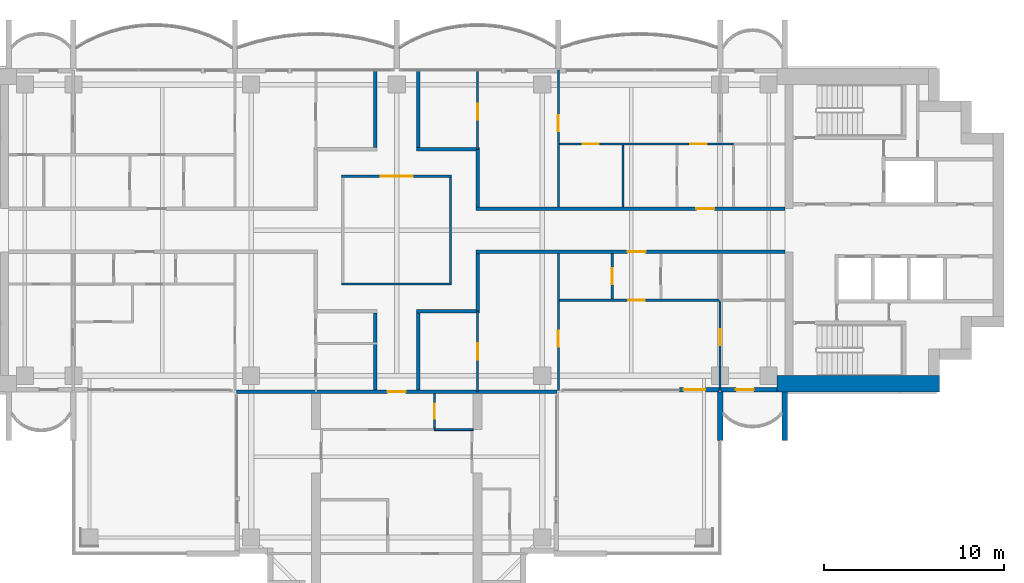
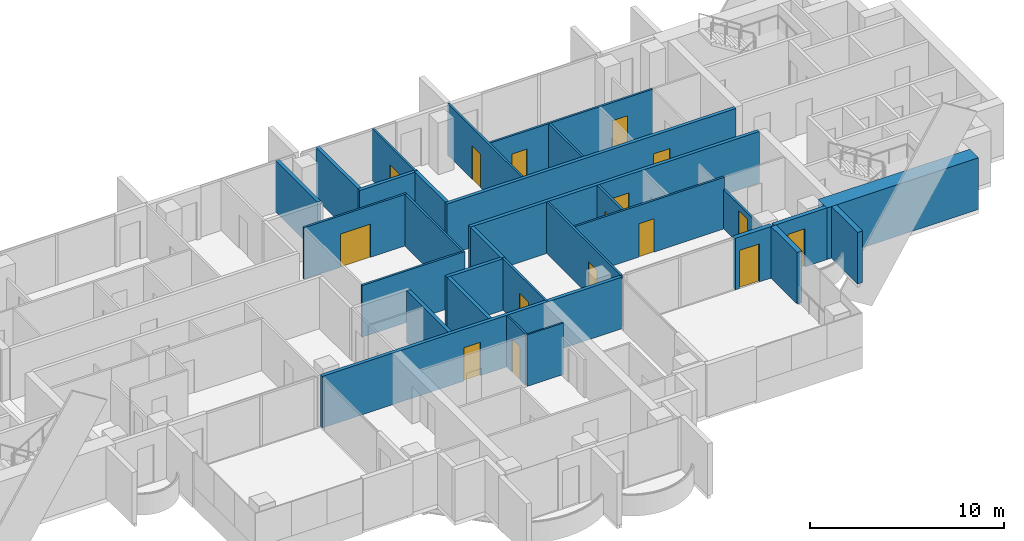
# One storey, part 11 of 17: 30 walls, 16 doors, 16 openings.
"""IFC4 building model written with IfcOpenShell, lengths in metres."""

from ifc_helpers import new_model, si_unit, direction, frame, frame_2d, origin, place, context, subcontext, project, spatial, rectangle, extrude, material, layer, layer_set, type_object, element, fill, save


model = new_model("IFC4")

# Units and contexts
model_context = context("Model", 3, precision=1e-05, world=origin(), true_north=direction((0.0, 1.0)))
body_context = subcontext(model_context, "Body", "Model", "MODEL_VIEW")
ifc_project = project(units=[si_unit("LENGTHUNIT", "METRE"), si_unit("AREAUNIT", "SQUARE_METRE"), si_unit("VOLUMEUNIT", "CUBIC_METRE"), si_unit("PLANEANGLEUNIT", "RADIAN"), si_unit("MASSUNIT", "GRAM", prefix="KILO")], contexts=[model_context])

# Site, building, storey
site_placement = place(None, origin())
site = spatial("IfcSite", under=ifc_project, at=site_placement, CompositionType="ELEMENT")
building_placement = place(site_placement, origin())
building = spatial("IfcBuilding", under=site, at=building_placement, Name="Perihelion Cross Residences", CompositionType="ELEMENT")
storey_placement = place(building_placement, frame((0.0, 0.0, 198.10009765625)))
storey = spatial("IfcBuildingStorey", under=building, at=storey_placement, Name="L49", CompositionType="ELEMENT", Elevation=198.10009765625)

# Wall, opening, door
ifc_material_1 = material(Name="Plasterboard partition")
ifc_layer_1 = layer(ifc_material_1, 0.199951171875)
ifc_layer_set_1 = layer_set([ifc_layer_1], Name="Apartment separation wall 200")
wall_type_1 = type_object("IfcWallType", Name="Apartment separation wall 200", PredefinedType="PARTITIONING", material=ifc_layer_set_1)
wall_1_placement = place(storey_placement, frame((4.39990234375, 1.199951171875, 0.0), z_axis=(0.0, 0.0, 1.0), x_axis=(1.0, 0.0, 0.0)))
wall_1 = element("IfcWall", 1, at=wall_1_placement, inside=storey, type_object=wall_type_1, Name="Partition L49 W005", PredefinedType="PARTITIONING", context=body_context, shape_type="SweptSolid", body=[
    extrude(rectangle(XDim=17.2001953125, YDim=0.199951171875, at=frame_2d((8.60009765625, 0.0))), origin(), (0.0, 0.0, 1.0), 3.25),
])
opening_1_placement = place(wall_1_placement, frame((12.27490234375, 0.0, 0.0)))
opening_1 = element("IfcOpeningElement", 2, at=opening_1_placement, cuts=wall_1, Name="Opening L49.A38", PredefinedType="OPENING", context=body_context, shape_type="SweptSolid", body=[
    extrude(rectangle(XDim=1.0, YDim=2.10009765625, at=frame_2d((0.5, 1.050048828125))), frame((0.0, 0.10986328125, 0.0), z_axis=(0.0, -1.0, 0.0), x_axis=(1.0, 0.0, 0.0)), (0.0, 0.0, 1.0), 0.219970703125),
])
ifc_material_2 = material(Name="Timber door leaf", Category="wood")
door_type_1 = type_object("IfcDoorType", Name="Flat entrance door 1000 x 2100", OperationType="SINGLE_SWING_LEFT", PredefinedType="DOOR", material=ifc_material_2)
door_1_placement = place(opening_1_placement, origin())
door_1 = element("IfcDoor", 3, at=door_1_placement, inside=storey, type_object=door_type_1, Name="Door L49.A38", OperationType="SINGLE_SWING_LEFT", OverallHeight=2.10009765625, OverallWidth=1.0, PredefinedType="DOOR", context=body_context, shape_type="SweptSolid", body=[
    extrude(rectangle(XDim=1.0, YDim=2.10009765625, at=frame_2d((0.5, 1.050048828125))), frame((0.0, 0.02490234375, 0.0), z_axis=(0.0, -1.0, 0.0), x_axis=(1.0, 0.0, 0.0)), (0.0, 0.0, 1.0), 0.050048828125),
])
fill(opening_1, door_1)

# Walls
wall_2_placement = place(storey_placement, frame((4.5, 4.5, 0.0), z_axis=(0.0, 0.0, 1.0), x_axis=(0.0, -1.0, 0.0)))
element("IfcWall", 4, at=wall_2_placement, inside=storey, type_object=wall_type_1, Name="Partition L49 W006", PredefinedType="PARTITIONING", context=body_context, shape_type="SweptSolid", body=[
    extrude(rectangle(XDim=3.199951171875, YDim=0.199951171875, at=frame_2d((1.60009765625, 0.0))), origin(), (0.0, 0.0, 1.0), 3.25),
])
wall_3_placement = place(storey_placement, frame((1.199951171875, 8.919921875, 0.0), z_axis=(0.0, 0.0, 1.0), x_axis=(0.0, -1.0, 0.0)))
element("IfcWall", 5, at=wall_3_placement, inside=storey, type_object=wall_type_1, Name="Partition L49 W007", PredefinedType="PARTITIONING", context=body_context, shape_type="SweptSolid", body=[
    extrude(rectangle(XDim=4.31982421875, YDim=0.199951171875, at=frame_2d((2.159912109375, 0.0))), origin(), (0.0, 0.0, 1.0), 3.25),
])
wall_4_placement = place(storey_placement, frame((1.10009765625, 4.5, 0.0), z_axis=(0.0, 0.0, 1.0), x_axis=(1.0, 0.0, 0.0)))
element("IfcWall", 6, at=wall_4_placement, inside=storey, type_object=wall_type_1, Name="Partition L49 W008", PredefinedType="PARTITIONING", context=body_context, shape_type="SweptSolid", body=[
    extrude(rectangle(XDim=3.5, YDim=0.199951171875, at=frame_2d((1.75, 0.0))), origin(), (0.0, 0.0, 1.0), 3.25),
])

# Wall, opening, door
wall_5_placement = place(storey_placement, frame((21.60009765625, -1.199951171875, 0.0), z_axis=(0.0, 0.0, 1.0), x_axis=(-1.0, 0.0, 0.0)))
wall_5 = element("IfcWall", 7, at=wall_5_placement, inside=storey, type_object=wall_type_1, Name="Partition L49 W009", PredefinedType="PARTITIONING", context=body_context, shape_type="SweptSolid", body=[
    extrude(rectangle(XDim=17.2001953125, YDim=0.199951171875, at=frame_2d((8.60009765625, 0.0))), origin(), (0.0, 0.0, 1.0), 3.25),
])
opening_2_placement = place(wall_5_placement, frame((7.75, 0.0, 0.0)))
opening_2 = element("IfcOpeningElement", 8, at=opening_2_placement, cuts=wall_5, Name="Opening L49.A39", PredefinedType="OPENING", context=body_context, shape_type="SweptSolid", body=[
    extrude(rectangle(XDim=1.0, YDim=2.10009765625, at=frame_2d((0.5, 1.050048828125))), frame((0.0, 0.10986328125, 0.0), z_axis=(0.0, -1.0, 0.0), x_axis=(1.0, 0.0, 0.0)), (0.0, 0.0, 1.0), 0.219970703125),
])
door_2_placement = place(opening_2_placement, origin())
door_2 = element("IfcDoor", 9, at=door_2_placement, inside=storey, type_object=door_type_1, Name="Door L49.A39", OperationType="SINGLE_SWING_LEFT", OverallHeight=2.10009765625, OverallWidth=1.0, PredefinedType="DOOR", context=body_context, shape_type="SweptSolid", body=[
    extrude(rectangle(XDim=1.0, YDim=2.10009765625, at=frame_2d((0.5, 1.050048828125))), frame((0.0, 0.02490234375, 0.0), z_axis=(0.0, -1.0, 0.0), x_axis=(1.0, 0.0, 0.0)), (0.0, 0.0, 1.0), 0.050048828125),
])
fill(opening_2, door_2)

# Walls
wall_6_placement = place(storey_placement, frame((4.5, -1.300048828125, 0.0), z_axis=(0.0, 0.0, 1.0), x_axis=(0.0, -1.0, 0.0)))
element("IfcWall", 10, at=wall_6_placement, inside=storey, type_object=wall_type_1, Name="Partition L49 W010", PredefinedType="PARTITIONING", context=body_context, shape_type="SweptSolid", body=[
    extrude(rectangle(XDim=3.199951171875, YDim=0.199951171875, at=frame_2d((1.60009765625, 0.0))), origin(), (0.0, 0.0, 1.0), 3.25),
])
wall_7_placement = place(storey_placement, frame((4.60009765625, -4.5, 0.0), z_axis=(0.0, 0.0, 1.0), x_axis=(-1.0, 0.0, 0.0)))
element("IfcWall", 11, at=wall_7_placement, inside=storey, type_object=wall_type_1, Name="Partition L49 W011", PredefinedType="PARTITIONING", context=body_context, shape_type="SweptSolid", body=[
    extrude(rectangle(XDim=3.5, YDim=0.199951171875, at=frame_2d((1.75, 0.0))), origin(), (0.0, 0.0, 1.0), 3.25),
])
wall_8_placement = place(storey_placement, frame((1.199951171875, -4.60009765625, 0.0), z_axis=(0.0, 0.0, 1.0), x_axis=(0.0, -1.0, 0.0)))
element("IfcWall", 12, at=wall_8_placement, inside=storey, type_object=wall_type_1, Name="Partition L49 W012", PredefinedType="PARTITIONING", context=body_context, shape_type="SweptSolid", body=[
    extrude(rectangle(XDim=4.2998046875, YDim=0.199951171875, at=frame_2d((2.14990234375, 0.0))), origin(), (0.0, 0.0, 1.0), 3.25),
])
wall_9_placement = place(storey_placement, frame((-1.199951171875, 4.60009765625, 0.0), z_axis=(0.0, 0.0, 1.0), x_axis=(0.0, 1.0, 0.0)))
element("IfcWall", 13, at=wall_9_placement, inside=storey, type_object=wall_type_1, Name="Partition L49 W016", PredefinedType="PARTITIONING", context=body_context, shape_type="SweptSolid", body=[
    extrude(rectangle(XDim=4.31982421875, YDim=0.199951171875, at=frame_2d((2.159912109375, 0.0))), origin(), (0.0, 0.0, 1.0), 3.25),
])
wall_10_placement = place(storey_placement, frame((-1.199951171875, -8.89990234375, 0.0), z_axis=(0.0, 0.0, 1.0), x_axis=(0.0, 1.0, 0.0)))
element("IfcWall", 14, at=wall_10_placement, inside=storey, type_object=wall_type_1, Name="Partition L49 W019", PredefinedType="PARTITIONING", context=body_context, shape_type="SweptSolid", body=[
    extrude(rectangle(XDim=4.2998046875, YDim=0.199951171875, at=frame_2d((2.14990234375, 0.0))), origin(), (0.0, 0.0, 1.0), 3.25),
])

# Wall, opening, door
wall_11_placement = place(storey_placement, frame((8.919921875, -9.0, 0.0), z_axis=(0.0, 0.0, 1.0), x_axis=(-1.0, 0.0, 0.0)))
wall_11 = element("IfcWall", 15, at=wall_11_placement, inside=storey, type_object=wall_type_1, Name="Partition L49 W021", PredefinedType="PARTITIONING", context=body_context, shape_type="SweptSolid", body=[
    extrude(rectangle(XDim=17.83984375, YDim=0.199951171875, at=frame_2d((8.919921875, 0.0))), origin(), (0.0, 0.0, 1.0), 3.25),
])
opening_3_placement = place(wall_11_placement, frame((8.419921875, 0.0, 0.0)))
opening_3 = element("IfcOpeningElement", 16, at=opening_3_placement, cuts=wall_11, Name="Opening L49.A32", PredefinedType="OPENING", context=body_context, shape_type="SweptSolid", body=[
    extrude(rectangle(XDim=1.0, YDim=2.10009765625, at=frame_2d((0.5, 1.050048828125))), frame((0.0, 0.10986328125, 0.0), z_axis=(0.0, -1.0, 0.0), x_axis=(1.0, 0.0, 0.0)), (0.0, 0.0, 1.0), 0.219970703125),
])
door_3_placement = place(opening_3_placement, origin())
door_3 = element("IfcDoor", 17, at=door_3_placement, inside=storey, type_object=door_type_1, Name="Door L49.A32", OperationType="SINGLE_SWING_RIGHT", OverallHeight=2.10009765625, OverallWidth=1.0, PredefinedType="DOOR", context=body_context, shape_type="SweptSolid", body=[
    extrude(rectangle(XDim=1.0, YDim=2.10009765625, at=frame_2d((0.5, 1.050048828125))), frame((0.0, 0.02490234375, 0.0), z_axis=(0.0, -1.0, 0.0), x_axis=(1.0, 0.0, 0.0)), (0.0, 0.0, 1.0), 0.050048828125),
])
fill(opening_3, door_3)

ifc_material_3 = material(Name="Concrete C30/37, bronze-clad", Category="concrete")
ifc_layer_2 = layer(ifc_material_3, 0.25)
ifc_layer_set_2 = layer_set([ifc_layer_2], Name="Bronze-clad pier wall 250")
wall_type_2 = type_object("IfcWallType", Name="Bronze-clad pier wall 250", PredefinedType="SOLIDWALL", material=ifc_layer_set_2)
wall_12_placement = place(storey_placement, frame((15.72509765625, -8.875, 0.0), z_axis=(0.0, 0.0, 1.0), x_axis=(1.0, 0.0, 0.0)))
wall_12 = element("IfcWall", 18, at=wall_12_placement, inside=storey, type_object=wall_type_2, Name="Wall FW1 L49 east side south bay 1 pier", PredefinedType="SOLIDWALL", context=body_context, shape_type="SweptSolid", body=[
    extrude(rectangle(XDim=2.21484375, YDim=0.25, at=frame_2d((1.107421875, 0.0))), origin(), (0.0, 0.0, 1.0), 3.25),
])
opening_4_placement = place(wall_12_placement, frame((0.25, 0.0, 0.0)))
opening_4 = element("IfcOpeningElement", 19, at=opening_4_placement, cuts=wall_12, Name="Opening L49.E13", PredefinedType="OPENING", context=body_context, shape_type="SweptSolid", body=[
    extrude(rectangle(XDim=1.199951171875, YDim=2.39990234375, at=frame_2d((0.60009765625, 1.199951171875))), frame((0.0, 0.135009765625, 0.0), z_axis=(0.0, -1.0, 0.0), x_axis=(1.0, 0.0, 0.0)), (0.0, 0.0, 1.0), 0.27001953125),
])
ifc_material_4 = material(Name="Bronze anodised aluminium, glazed", Category="aluminium")
door_type_2 = type_object("IfcDoorType", Name="Balcony door 1200 x 2400", OperationType="NOTDEFINED", PredefinedType="DOOR", material=ifc_material_4)
door_4_placement = place(opening_4_placement, origin())
door_4 = element("IfcDoor", 20, at=door_4_placement, inside=storey, type_object=door_type_2, Name="Door L49.E13 east side south bay 1", OperationType="SINGLE_SWING_LEFT", OverallHeight=2.39990234375, OverallWidth=1.199951171875, PredefinedType="DOOR", context=body_context, shape_type="SweptSolid", body=[
    extrude(rectangle(XDim=1.199951171875, YDim=2.39990234375, at=frame_2d((0.60009765625, 1.199951171875))), frame((0.0, 0.02490234375, 0.0), z_axis=(0.0, -1.0, 0.0), x_axis=(1.0, 0.0, 0.0)), (0.0, 0.0, 1.0), 0.050048828125),
])
fill(opening_4, door_4)

wall_13_placement = place(storey_placement, frame((18.06005859375, -8.875, 0.0), z_axis=(0.0, 0.0, 1.0), x_axis=(1.0, 0.0, 0.0)))
wall_13 = element("IfcWall", 21, at=wall_13_placement, inside=storey, type_object=wall_type_2, Name="Wall FW1 L49 east side south bay 2 pier", PredefinedType="SOLIDWALL", context=body_context, shape_type="SweptSolid", body=[
    extrude(rectangle(XDim=3.114990234375, YDim=0.25, at=frame_2d((1.5576171875, 0.0))), origin(), (0.0, 0.0, 1.0), 3.25),
])
opening_5_placement = place(wall_13_placement, frame((0.81494140625, 0.0, 0.0)))
opening_5 = element("IfcOpeningElement", 22, at=opening_5_placement, cuts=wall_13, Name="Opening L49.E14", PredefinedType="OPENING", context=body_context, shape_type="SweptSolid", body=[
    extrude(rectangle(XDim=1.0, YDim=2.39990234375, at=frame_2d((0.5, 1.199951171875))), frame((0.0, 0.135009765625, 0.0), z_axis=(0.0, -1.0, 0.0), x_axis=(1.0, 0.0, 0.0)), (0.0, 0.0, 1.0), 0.27001953125),
])
ifc_material_5 = material(Name="Bronze anodised aluminium, glazed", Category="aluminium")
door_type_3 = type_object("IfcDoorType", Name="Balcony door 1000 x 2400", OperationType="NOTDEFINED", PredefinedType="DOOR", material=ifc_material_5)
door_5_placement = place(opening_5_placement, origin())
door_5 = element("IfcDoor", 23, at=door_5_placement, inside=storey, type_object=door_type_3, Name="Door L49.E14 east side south bay 2", OperationType="SINGLE_SWING_RIGHT", OverallHeight=2.39990234375, OverallWidth=1.0, PredefinedType="DOOR", context=body_context, shape_type="SweptSolid", body=[
    extrude(rectangle(XDim=1.0, YDim=2.39990234375, at=frame_2d((0.5, 1.199951171875))), frame((0.0, 0.02490234375, 0.0), z_axis=(0.0, -1.0, 0.0), x_axis=(1.0, 0.0, 0.0)), (0.0, 0.0, 1.0), 0.050048828125),
])
fill(opening_5, door_5)

# Walls
ifc_material_6 = material(Name="Concrete C60/75", Category="concrete")
ifc_layer_3 = layer(ifc_material_6, 0.89990234375)
ifc_layer_set_3 = layer_set([ifc_layer_3], Name="Core wall, outer 900")
wall_type_3 = type_object("IfcWallType", Name="Core wall, outer 900", PredefinedType="SHEAR", material=ifc_layer_set_3)
wall_14_placement = place(storey_placement, frame((21.175048828125, -8.550048828125, 0.0), z_axis=(0.0, 0.0, 1.0), x_axis=(1.0, 0.0, 0.0)))
element("IfcWall", 24, at=wall_14_placement, inside=storey, type_object=wall_type_3, Name="East core core wall, outer", PredefinedType="SHEAR", context=body_context, shape_type="SweptSolid", body=[
    extrude(rectangle(XDim=9.02490234375, YDim=0.89990234375, at=frame_2d((4.512451171875, 0.0))), origin(), (0.0, 0.0, 1.0), 3.25),
])
ifc_material_7 = material(Name="Plasterboard partition")
ifc_layer_4 = layer(ifc_material_7, 0.1201171875)
ifc_layer_set_4 = layer_set([ifc_layer_4], Name="Partition wall 120")
wall_type_4 = type_object("IfcWallType", Name="Partition wall 120", PredefinedType="PARTITIONING", material=ifc_layer_set_4)
wall_15_placement = place(storey_placement, frame((-3.06005859375, -3.0, 0.0), z_axis=(0.0, 0.0, 1.0), x_axis=(1.0, 0.0, 0.0)))
element("IfcWall", 25, at=wall_15_placement, inside=storey, type_object=wall_type_4, Name="Partition L49 W001", PredefinedType="PARTITIONING", context=body_context, shape_type="SweptSolid", body=[
    extrude(rectangle(XDim=6.1201171875, YDim=0.1201171875, at=frame_2d((3.06005859375, 0.0))), origin(), (0.0, 0.0, 1.0), 3.25),
])
wall_16_placement = place(storey_placement, frame((3.0, -2.93994140625, 0.0), z_axis=(0.0, 0.0, 1.0), x_axis=(0.0, 1.0, 0.0)))
element("IfcWall", 26, at=wall_16_placement, inside=storey, type_object=wall_type_4, Name="Partition L49 W002", PredefinedType="PARTITIONING", context=body_context, shape_type="SweptSolid", body=[
    extrude(rectangle(XDim=5.8798828125, YDim=0.1201171875, at=frame_2d((2.93994140625, 0.0))), origin(), (0.0, 0.0, 1.0), 3.25),
])

# Wall, opening, door
wall_17_placement = place(storey_placement, frame((3.06005859375, 3.0, 0.0), z_axis=(0.0, 0.0, 1.0), x_axis=(-1.0, 0.0, 0.0)))
wall_17 = element("IfcWall", 27, at=wall_17_placement, inside=storey, type_object=wall_type_4, Name="Partition L49 W003", PredefinedType="PARTITIONING", context=body_context, shape_type="SweptSolid", body=[
    extrude(rectangle(XDim=6.1201171875, YDim=0.1201171875, at=frame_2d((3.06005859375, 0.0))), origin(), (0.0, 0.0, 1.0), 3.25),
])
opening_6_placement = place(wall_17_placement, frame((2.159912109375, 0.0, 0.0)))
opening_6 = element("IfcOpeningElement", 28, at=opening_6_placement, cuts=wall_17, Name="Opening L49.A01", PredefinedType="OPENING", context=body_context, shape_type="SweptSolid", body=[
    extrude(rectangle(XDim=1.800048828125, YDim=2.10009765625, at=frame_2d((0.89990234375, 1.050048828125))), frame((0.0, 0.070068359375, 0.0), z_axis=(0.0, -1.0, 0.0), x_axis=(1.0, 0.0, 0.0)), (0.0, 0.0, 1.0), 0.14013671875),
])
ifc_material_8 = material(Name="Glazed timber door leaf", Category="wood")
door_type_4 = type_object("IfcDoorType", Name="Interior double leaf door 1800 x 2100", OperationType="DOUBLE_DOOR_SINGLE_SWING", PredefinedType="DOOR", material=ifc_material_8)
door_6_placement = place(opening_6_placement, origin())
door_6 = element("IfcDoor", 29, at=door_6_placement, inside=storey, type_object=door_type_4, Name="Door L49.A01", OperationType="SINGLE_SWING_LEFT", OverallHeight=2.10009765625, OverallWidth=1.800048828125, PredefinedType="DOOR", context=body_context, shape_type="SweptSolid", body=[
    extrude(rectangle(XDim=1.800048828125, YDim=2.10009765625, at=frame_2d((0.89990234375, 1.050048828125))), frame((0.0, 0.02490234375, 0.0), z_axis=(0.0, -1.0, 0.0), x_axis=(1.0, 0.0, 0.0)), (0.0, 0.0, 1.0), 0.050048828125),
])
fill(opening_6, door_6)

# Wall
wall_18_placement = place(storey_placement, frame((12.60009765625, 4.739990234375, 0.0), z_axis=(0.0, 0.0, 1.0), x_axis=(0.0, -1.0, 0.0)))
element("IfcWall", 30, at=wall_18_placement, inside=storey, type_object=wall_type_4, Name="Partition L49 W022", PredefinedType="PARTITIONING", context=body_context, shape_type="SweptSolid", body=[
    extrude(rectangle(XDim=3.43994140625, YDim=0.1201171875, at=frame_2d((1.719970703125, 0.0))), origin(), (0.0, 0.0, 1.0), 3.25),
])

# Wall, openings, doors
wall_19_placement = place(storey_placement, frame((8.93994140625, 4.800048828125, 0.0), z_axis=(0.0, 0.0, 1.0), x_axis=(1.0, 0.0, 0.0)))
wall_19 = element("IfcWall", 31, at=wall_19_placement, inside=storey, type_object=wall_type_4, Name="Partition L49 W023", PredefinedType="PARTITIONING", context=body_context, shape_type="SweptSolid", body=[
    extrude(rectangle(XDim=9.81005859375, YDim=0.1201171875, at=frame_2d((4.905029296875, 0.0))), origin(), (0.0, 0.0, 1.0), 3.25),
])
opening_7_placement = place(wall_19_placement, frame((1.409912109375, 0.0, 0.0)))
opening_7 = element("IfcOpeningElement", 32, at=opening_7_placement, cuts=wall_19, Name="Opening L49.A05", PredefinedType="OPENING", context=body_context, shape_type="SweptSolid", body=[
    extrude(rectangle(XDim=0.89990234375, YDim=2.10009765625, at=frame_2d((0.449951171875, 1.050048828125))), frame((0.0, 0.070068359375, 0.0), z_axis=(0.0, -1.0, 0.0), x_axis=(1.0, 0.0, 0.0)), (0.0, 0.0, 1.0), 0.14013671875),
])
opening_8_placement = place(wall_19_placement, frame((7.409912109375, 0.0, 0.0)))
opening_8 = element("IfcOpeningElement", 33, at=opening_8_placement, cuts=wall_19, Name="Opening L49.A06", PredefinedType="OPENING", context=body_context, shape_type="SweptSolid", body=[
    extrude(rectangle(XDim=0.89990234375, YDim=2.10009765625, at=frame_2d((0.449951171875, 1.050048828125))), frame((0.0, 0.070068359375, 0.0), z_axis=(0.0, -1.0, 0.0), x_axis=(1.0, 0.0, 0.0)), (0.0, 0.0, 1.0), 0.14013671875),
])
ifc_material_9 = material(Name="Timber door leaf", Category="wood")
door_type_5 = type_object("IfcDoorType", Name="Interior room door 900 x 2100", OperationType="SINGLE_SWING_LEFT", PredefinedType="DOOR", material=ifc_material_9)
door_7_placement = place(opening_7_placement, origin())
door_7 = element("IfcDoor", 34, at=door_7_placement, inside=storey, type_object=door_type_5, Name="Door L49.A05", OperationType="SINGLE_SWING_RIGHT", OverallHeight=2.10009765625, OverallWidth=0.89990234375, PredefinedType="DOOR", context=body_context, shape_type="SweptSolid", body=[
    extrude(rectangle(XDim=0.89990234375, YDim=2.10009765625, at=frame_2d((0.449951171875, 1.050048828125))), frame((0.0, 0.02490234375, 0.0), z_axis=(0.0, -1.0, 0.0), x_axis=(1.0, 0.0, 0.0)), (0.0, 0.0, 1.0), 0.050048828125),
])
fill(opening_7, door_7)
door_8_placement = place(opening_8_placement, origin())
door_8 = element("IfcDoor", 35, at=door_8_placement, inside=storey, type_object=door_type_5, Name="Door L49.A06", OperationType="SINGLE_SWING_LEFT", OverallHeight=2.10009765625, OverallWidth=0.89990234375, PredefinedType="DOOR", context=body_context, shape_type="SweptSolid", body=[
    extrude(rectangle(XDim=0.89990234375, YDim=2.10009765625, at=frame_2d((0.449951171875, 1.050048828125))), frame((0.0, 0.02490234375, 0.0), z_axis=(0.0, -1.0, 0.0), x_axis=(1.0, 0.0, 0.0)), (0.0, 0.0, 1.0), 0.050048828125),
])
fill(opening_8, door_8)

# Wall, opening, door
wall_20_placement = place(storey_placement, frame((9.0, 1.300048828125, 0.0), z_axis=(0.0, 0.0, 1.0), x_axis=(0.0, 1.0, 0.0)))
wall_20 = element("IfcWall", 36, at=wall_20_placement, inside=storey, type_object=wall_type_4, Name="Partition L49 W024", PredefinedType="PARTITIONING", context=body_context, shape_type="SweptSolid", body=[
    extrude(rectangle(XDim=7.619873046875, YDim=0.1201171875, at=frame_2d((3.81005859375, 0.0))), origin(), (0.0, 0.0, 1.0), 3.25),
])
opening_9_placement = place(wall_20_placement, frame((4.199951171875, 0.0, 0.0)))
opening_9 = element("IfcOpeningElement", 37, at=opening_9_placement, cuts=wall_20, Name="Opening L49.A07", PredefinedType="OPENING", context=body_context, shape_type="SweptSolid", body=[
    extrude(rectangle(XDim=0.89990234375, YDim=2.10009765625, at=frame_2d((0.449951171875, 1.050048828125))), frame((0.0, 0.070068359375, 0.0), z_axis=(0.0, -1.0, 0.0), x_axis=(1.0, 0.0, 0.0)), (0.0, 0.0, 1.0), 0.14013671875),
])
door_9_placement = place(opening_9_placement, origin())
door_9 = element("IfcDoor", 38, at=door_9_placement, inside=storey, type_object=door_type_5, Name="Door L49.A07", OperationType="SINGLE_SWING_LEFT", OverallHeight=2.10009765625, OverallWidth=0.89990234375, PredefinedType="DOOR", context=body_context, shape_type="SweptSolid", body=[
    extrude(rectangle(XDim=0.89990234375, YDim=2.10009765625, at=frame_2d((0.449951171875, 1.050048828125))), frame((0.0, 0.02490234375, 0.0), z_axis=(0.0, -1.0, 0.0), x_axis=(1.0, 0.0, 0.0)), (0.0, 0.0, 1.0), 0.050048828125),
])
fill(opening_9, door_9)

wall_21_placement = place(storey_placement, frame((4.5, 4.5, 0.0), z_axis=(0.0, 0.0, 1.0), x_axis=(0.0, 1.0, 0.0)))
wall_21 = element("IfcWall", 39, at=wall_21_placement, inside=storey, type_object=wall_type_4, Name="Partition L49 W029", PredefinedType="PARTITIONING", context=body_context, shape_type="SweptSolid", body=[
    extrude(rectangle(XDim=4.419921875, YDim=0.1201171875, at=frame_2d((2.2099609375, 0.0))), origin(), (0.0, 0.0, 1.0), 3.25),
])
opening_10_placement = place(wall_21_placement, frame((1.64990234375, 0.0, 0.0)))
opening_10 = element("IfcOpeningElement", 40, at=opening_10_placement, cuts=wall_21, Name="Opening L49.A03", PredefinedType="OPENING", context=body_context, shape_type="SweptSolid", body=[
    extrude(rectangle(XDim=0.89990234375, YDim=2.10009765625, at=frame_2d((0.449951171875, 1.050048828125))), frame((0.0, 0.070068359375, 0.0), z_axis=(0.0, -1.0, 0.0), x_axis=(1.0, 0.0, 0.0)), (0.0, 0.0, 1.0), 0.14013671875),
])
door_10_placement = place(opening_10_placement, origin())
door_10 = element("IfcDoor", 41, at=door_10_placement, inside=storey, type_object=door_type_5, Name="Door L49.A03", OperationType="SINGLE_SWING_LEFT", OverallHeight=2.10009765625, OverallWidth=0.89990234375, PredefinedType="DOOR", context=body_context, shape_type="SweptSolid", body=[
    extrude(rectangle(XDim=0.89990234375, YDim=2.10009765625, at=frame_2d((0.449951171875, 1.050048828125))), frame((0.0, 0.02490234375, 0.0), z_axis=(0.0, -1.0, 0.0), x_axis=(1.0, 0.0, 0.0)), (0.0, 0.0, 1.0), 0.050048828125),
])
fill(opening_10, door_10)

wall_22_placement = place(storey_placement, frame((12.0, -1.300048828125, 0.0), z_axis=(0.0, 0.0, 1.0), x_axis=(0.0, -1.0, 0.0)))
wall_22 = element("IfcWall", 42, at=wall_22_placement, inside=storey, type_object=wall_type_4, Name="Partition L49 W030", PredefinedType="PARTITIONING", context=body_context, shape_type="SweptSolid", body=[
    extrude(rectangle(XDim=2.5400390625, YDim=0.1201171875, at=frame_2d((1.27001953125, 0.0))), origin(), (0.0, 0.0, 1.0), 3.25),
])
opening_11_placement = place(wall_22_placement, frame((0.820068359375, 0.0, 0.0)))
opening_11 = element("IfcOpeningElement", 43, at=opening_11_placement, cuts=wall_22, Name="Opening L49.A12", PredefinedType="OPENING", context=body_context, shape_type="SweptSolid", body=[
    extrude(rectangle(XDim=0.89990234375, YDim=2.10009765625, at=frame_2d((0.449951171875, 1.050048828125))), frame((0.0, 0.070068359375, 0.0), z_axis=(0.0, -1.0, 0.0), x_axis=(1.0, 0.0, 0.0)), (0.0, 0.0, 1.0), 0.14013671875),
])
door_11_placement = place(opening_11_placement, origin())
door_11 = element("IfcDoor", 44, at=door_11_placement, inside=storey, type_object=door_type_5, Name="Door L49.A12", OperationType="SINGLE_SWING_LEFT", OverallHeight=2.10009765625, OverallWidth=0.89990234375, PredefinedType="DOOR", context=body_context, shape_type="SweptSolid", body=[
    extrude(rectangle(XDim=0.89990234375, YDim=2.10009765625, at=frame_2d((0.449951171875, 1.050048828125))), frame((0.0, 0.02490234375, 0.0), z_axis=(0.0, -1.0, 0.0), x_axis=(1.0, 0.0, 0.0)), (0.0, 0.0, 1.0), 0.050048828125),
])
fill(opening_11, door_11)

wall_23_placement = place(storey_placement, frame((18.0, -3.89990234375, 0.0), z_axis=(0.0, 0.0, 1.0), x_axis=(-1.0, 0.0, 0.0)))
wall_23 = element("IfcWall", 45, at=wall_23_placement, inside=storey, type_object=wall_type_4, Name="Partition L49 W031", PredefinedType="PARTITIONING", context=body_context, shape_type="SweptSolid", body=[
    extrude(rectangle(XDim=9.06005859375, YDim=0.1201171875, at=frame_2d((4.530029296875, 0.0))), origin(), (0.0, 0.0, 1.0), 3.25),
])
opening_12_placement = place(wall_23_placement, frame((4.199951171875, 0.0, 0.0)))
opening_12 = element("IfcOpeningElement", 46, at=opening_12_placement, cuts=wall_23, Name="Opening L49.A13", PredefinedType="OPENING", context=body_context, shape_type="SweptSolid", body=[
    extrude(rectangle(XDim=0.89990234375, YDim=2.10009765625, at=frame_2d((0.449951171875, 1.050048828125))), frame((0.0, 0.070068359375, 0.0), z_axis=(0.0, -1.0, 0.0), x_axis=(1.0, 0.0, 0.0)), (0.0, 0.0, 1.0), 0.14013671875),
])
door_12_placement = place(opening_12_placement, origin())
door_12 = element("IfcDoor", 47, at=door_12_placement, inside=storey, type_object=door_type_5, Name="Door L49.A13", OperationType="SINGLE_SWING_LEFT", OverallHeight=2.10009765625, OverallWidth=0.89990234375, PredefinedType="DOOR", context=body_context, shape_type="SweptSolid", body=[
    extrude(rectangle(XDim=0.89990234375, YDim=2.10009765625, at=frame_2d((0.449951171875, 1.050048828125))), frame((0.0, 0.02490234375, 0.0), z_axis=(0.0, -1.0, 0.0), x_axis=(1.0, 0.0, 0.0)), (0.0, 0.0, 1.0), 0.050048828125),
])
fill(opening_12, door_12)

wall_24_placement = place(storey_placement, frame((9.0, -8.919921875, 0.0), z_axis=(0.0, 0.0, 1.0), x_axis=(0.0, 1.0, 0.0)))
wall_24 = element("IfcWall", 48, at=wall_24_placement, inside=storey, type_object=wall_type_4, Name="Partition L49 W032", PredefinedType="PARTITIONING", context=body_context, shape_type="SweptSolid", body=[
    extrude(rectangle(XDim=7.619873046875, YDim=0.1201171875, at=frame_2d((3.81005859375, 0.0))), origin(), (0.0, 0.0, 1.0), 3.25),
])
opening_13_placement = place(wall_24_placement, frame((2.419921875, 0.0, 0.0)))
opening_13 = element("IfcOpeningElement", 49, at=opening_13_placement, cuts=wall_24, Name="Opening L49.A15", PredefinedType="OPENING", context=body_context, shape_type="SweptSolid", body=[
    extrude(rectangle(XDim=0.89990234375, YDim=2.10009765625, at=frame_2d((0.449951171875, 1.050048828125))), frame((0.0, 0.070068359375, 0.0), z_axis=(0.0, -1.0, 0.0), x_axis=(1.0, 0.0, 0.0)), (0.0, 0.0, 1.0), 0.14013671875),
])
door_13_placement = place(opening_13_placement, origin())
door_13 = element("IfcDoor", 50, at=door_13_placement, inside=storey, type_object=door_type_5, Name="Door L49.A15", OperationType="SINGLE_SWING_LEFT", OverallHeight=2.10009765625, OverallWidth=0.89990234375, PredefinedType="DOOR", context=body_context, shape_type="SweptSolid", body=[
    extrude(rectangle(XDim=0.89990234375, YDim=2.10009765625, at=frame_2d((0.449951171875, 1.050048828125))), frame((0.0, 0.02490234375, 0.0), z_axis=(0.0, -1.0, 0.0), x_axis=(1.0, 0.0, 0.0)), (0.0, 0.0, 1.0), 0.050048828125),
])
fill(opening_13, door_13)

wall_25_placement = place(storey_placement, frame((18.0, -3.89990234375, 0.0), z_axis=(0.0, 0.0, 1.0), x_axis=(0.0, -1.0, 0.0)))
wall_25 = element("IfcWall", 51, at=wall_25_placement, inside=storey, type_object=wall_type_4, Name="Partition L49 W036", PredefinedType="PARTITIONING", context=body_context, shape_type="SweptSolid", body=[
    extrude(rectangle(XDim=5.02001953125, YDim=0.1201171875, at=frame_2d((2.510009765625, 0.0))), origin(), (0.0, 0.0, 1.0), 2.47998046875),
])
opening_14_placement = place(wall_25_placement, frame((1.60009765625, 0.0, 0.0)))
opening_14 = element("IfcOpeningElement", 52, at=opening_14_placement, cuts=wall_25, Name="Opening L49.A09", PredefinedType="OPENING", context=body_context, shape_type="SweptSolid", body=[
    extrude(rectangle(XDim=0.89990234375, YDim=2.10009765625, at=frame_2d((0.449951171875, 1.050048828125))), frame((0.0, 0.070068359375, 0.0), z_axis=(0.0, -1.0, 0.0), x_axis=(1.0, 0.0, 0.0)), (0.0, 0.0, 1.0), 0.14013671875),
])
door_14_placement = place(opening_14_placement, origin())
door_14 = element("IfcDoor", 53, at=door_14_placement, inside=storey, type_object=door_type_5, Name="Door L49.A09", OperationType="SINGLE_SWING_LEFT", OverallHeight=2.10009765625, OverallWidth=0.89990234375, PredefinedType="DOOR", context=body_context, shape_type="SweptSolid", body=[
    extrude(rectangle(XDim=0.89990234375, YDim=2.10009765625, at=frame_2d((0.449951171875, 1.050048828125))), frame((0.0, 0.02490234375, 0.0), z_axis=(0.0, -1.0, 0.0), x_axis=(1.0, 0.0, 0.0)), (0.0, 0.0, 1.0), 0.050048828125),
])
fill(opening_14, door_14)

wall_26_placement = place(storey_placement, frame((4.5, -9.0, 0.0), z_axis=(0.0, 0.0, 1.0), x_axis=(0.0, 1.0, 0.0)))
wall_26 = element("IfcWall", 54, at=wall_26_placement, inside=storey, type_object=wall_type_4, Name="Partition L49 W037", PredefinedType="PARTITIONING", context=body_context, shape_type="SweptSolid", body=[
    extrude(rectangle(XDim=4.5, YDim=0.1201171875, at=frame_2d((2.25, 0.0))), origin(), (0.0, 0.0, 1.0), 3.25),
])
opening_15_placement = place(wall_26_placement, frame((1.800048828125, 0.0, 0.0)))
opening_15 = element("IfcOpeningElement", 55, at=opening_15_placement, cuts=wall_26, Name="Opening L49.A10", PredefinedType="OPENING", context=body_context, shape_type="SweptSolid", body=[
    extrude(rectangle(XDim=0.89990234375, YDim=2.10009765625, at=frame_2d((0.449951171875, 1.050048828125))), frame((0.0, 0.070068359375, 0.0), z_axis=(0.0, -1.0, 0.0), x_axis=(1.0, 0.0, 0.0)), (0.0, 0.0, 1.0), 0.14013671875),
])
door_15_placement = place(opening_15_placement, origin())
door_15 = element("IfcDoor", 56, at=door_15_placement, inside=storey, type_object=door_type_5, Name="Door L49.A10", OperationType="SINGLE_SWING_LEFT", OverallHeight=2.10009765625, OverallWidth=0.89990234375, PredefinedType="DOOR", context=body_context, shape_type="SweptSolid", body=[
    extrude(rectangle(XDim=0.89990234375, YDim=2.10009765625, at=frame_2d((0.449951171875, 1.050048828125))), frame((0.0, 0.02490234375, 0.0), z_axis=(0.0, -1.0, 0.0), x_axis=(1.0, 0.0, 0.0)), (0.0, 0.0, 1.0), 0.050048828125),
])
fill(opening_15, door_15)

# Walls
ifc_material_10 = material(Name="Precast concrete C50/60", Category="concrete")
ifc_layer_5 = layer(ifc_material_10, 0.300048828125)
ifc_layer_set_5 = layer_set([ifc_layer_5], Name="Precast concrete C50/60 blade wall 300")
wall_type_5 = type_object("IfcWallType", Name="Precast concrete C50/60 blade wall 300", PredefinedType="SOLIDWALL", material=ifc_layer_set_5)
for number, where, z_axis, x_axis, name in (
    (57, (18.0, -9.0, 0.0), (0.0, 0.0, 1.0), (0.0, -1.0, 0.0), "Wall BL1 L49 no. 10"),
    (58, (21.60009765625, -9.0, 0.0), (0.0, 0.0, 1.0), (0.0, -1.0, 0.0), "Wall BL1 L49 no. 12"),
):
    element("IfcWall", number, at=place(storey_placement, frame(where, z_axis=z_axis, x_axis=x_axis)), inside=storey, type_object=wall_type_5, Name=name, PredefinedType="SOLIDWALL", context=body_context, shape_type="SweptSolid", body=[
        extrude(rectangle(XDim=2.699951171875, YDim=0.300048828125, at=frame_2d((1.35009765625, 0.0))), origin(), (0.0, 0.0, 1.0), 3.25),
    ])

# Wall, opening, door
ifc_material_11 = material(Name="Plasterboard partition")
ifc_layer_6 = layer(ifc_material_11, 0.10009765625)
ifc_layer_set_6 = layer_set([ifc_layer_6], Name="Wet room wall 100")
wall_type_6 = type_object("IfcWallType", Name="Wet room wall 100", PredefinedType="PARTITIONING", material=ifc_layer_set_6)
wall_27_placement = place(storey_placement, frame((2.10009765625, -9.10009765625, 0.0), z_axis=(0.0, 0.0, 1.0), x_axis=(0.0, -1.0, 0.0)))
wall_27 = element("IfcWall", 59, at=wall_27_placement, inside=storey, type_object=wall_type_6, Name="Partition L49 W059", PredefinedType="PARTITIONING", context=body_context, shape_type="SweptSolid", body=[
    extrude(rectangle(XDim=1.93994140625, YDim=0.10009765625, at=frame_2d((0.969970703125, 0.0))), origin(), (0.0, 0.0, 1.0), 3.25),
])
opening_16_placement = place(wall_27_placement, frame((0.544921875, 0.0, 0.0)))
opening_16 = element("IfcOpeningElement", 60, at=opening_16_placement, cuts=wall_27, Name="Opening L49.A33", PredefinedType="OPENING", context=body_context, shape_type="SweptSolid", body=[
    extrude(rectangle(XDim=0.85009765625, YDim=2.10009765625, at=frame_2d((0.425048828125, 1.050048828125))), frame((0.0, 0.06005859375, 0.0), z_axis=(0.0, -1.0, 0.0), x_axis=(1.0, 0.0, 0.0)), (0.0, 0.0, 1.0), 0.1201171875),
])
ifc_material_12 = material(Name="Timber door leaf", Category="wood")
door_type_6 = type_object("IfcDoorType", Name="Interior bathroom door 850 x 2100", OperationType="SINGLE_SWING_LEFT", PredefinedType="DOOR", material=ifc_material_12)
door_16_placement = place(opening_16_placement, origin())
door_16 = element("IfcDoor", 61, at=door_16_placement, inside=storey, type_object=door_type_6, Name="Door L49.A33", OperationType="SINGLE_SWING_LEFT", OverallHeight=2.10009765625, OverallWidth=0.85009765625, PredefinedType="DOOR", context=body_context, shape_type="SweptSolid", body=[
    extrude(rectangle(XDim=0.85009765625, YDim=2.10009765625, at=frame_2d((0.425048828125, 1.050048828125))), frame((0.0, 0.02490234375, 0.0), z_axis=(0.0, -1.0, 0.0), x_axis=(1.0, 0.0, 0.0)), (0.0, 0.0, 1.0), 0.050048828125),
])
fill(opening_16, door_16)

# Wall
wall_28_placement = place(storey_placement, frame((4.25, -11.10009765625, 0.0), z_axis=(0.0, 0.0, 1.0), x_axis=(-1.0, 0.0, 0.0)))
element("IfcWall", 62, at=wall_28_placement, inside=storey, type_object=wall_type_6, Name="Partition L49 W061", PredefinedType="PARTITIONING", context=body_context, shape_type="SweptSolid", body=[
    extrude(rectangle(XDim=2.14990234375, YDim=0.10009765625, at=frame_2d((1.074951171875, 0.0))), origin(), (0.0, 0.0, 1.0), 3.25),
])

save(model, "model.ifc")
